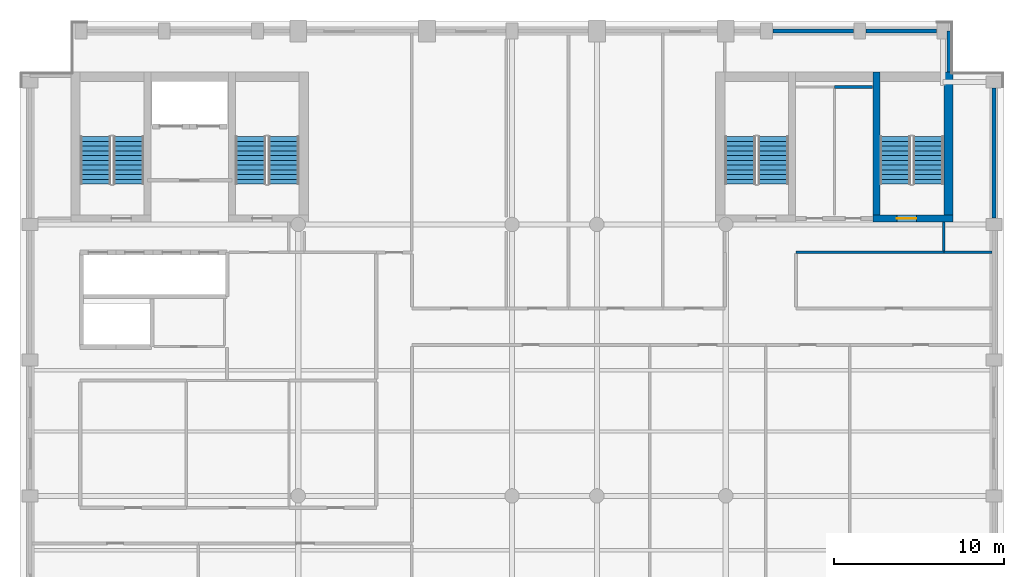
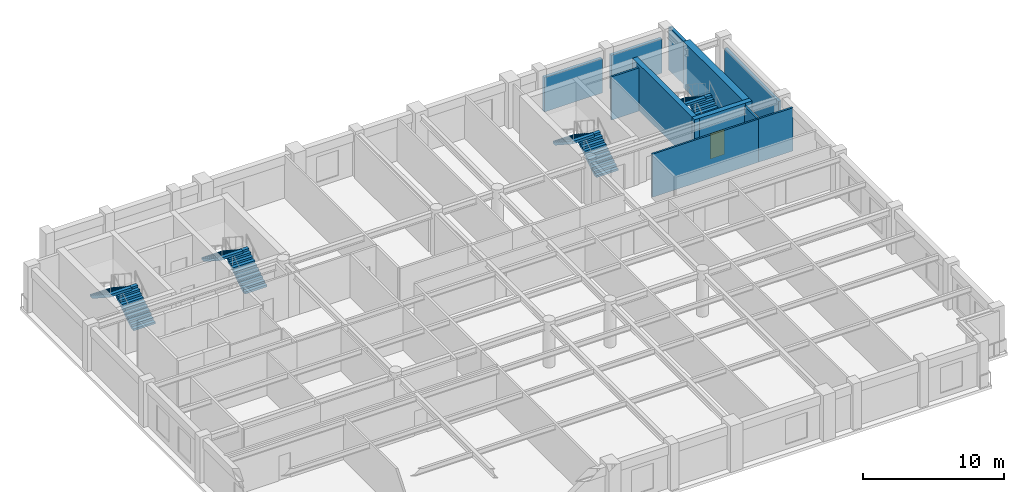
# One storey, part 6 of 9: 11 walls, 8 stair flights, 1 door, 1 opening, 4 elements without a shape of their own.
"""IFC4 building model written with IfcOpenShell, lengths in metres."""

import ifcopenshell
import ifcopenshell.guid

model = None  # the IFC model being written
_history = None  # IfcOwnerHistory: only IFC2X3 demands one
_inside = {}  # id of a spatial element -> (the spatial element, [elements in it])
_under = {}  # id of a project, library or spatial element -> (it, [spatial elements below it])
_declared = {}  # id of a project -> (the project, [libraries it declares])
_typed = {}  # id of a type object -> (the type object, [elements of that type])
_made_of = {}  # id of a material, layer set ... -> (it, [elements and type objects made of it])


def new_model(schema):
    """Start an empty IFC model of exactly this schema.

    Asked for "IFC4X3", IfcOpenShell would pick the latest addendum, in which some entities
    have other attributes; the version numbers below select the first issue.
    IFC2X3 requires an IfcOwnerHistory on every rooted entity: one is made here for all.
    """
    global model, _history
    if schema == "IFC4X3":
        model = ifcopenshell.file(schema_version=(4, 3, 0, 0))
    else:
        model = ifcopenshell.file(schema=schema)
    _inside.clear()
    _under.clear()
    _declared.clear()
    _typed.clear()
    _made_of.clear()
    _history = None
    if model.schema == "IFC2X3":
        org = make("IfcOrganization", Name="unknown")
        user = make(
            "IfcPersonAndOrganization",
            ThePerson=make("IfcPerson", FamilyName="unknown"),
            TheOrganization=org,
        )
        app = make(
            "IfcApplication",
            ApplicationDeveloper=org,
            Version="unknown",
            ApplicationFullName="unknown",
            ApplicationIdentifier="unknown",
        )
        _history = make(
            "IfcOwnerHistory",
            OwningUser=user,
            OwningApplication=app,
            ChangeAction="ADDED",
            CreationDate=0,
        )
    return model


def make(cls, **values):
    """One entity of the class cls with the attributes given. An attribute that is None is left unset."""
    return model.create_entity(
        cls, **{name: value for name, value in values.items() if value is not None}
    )


def rooted(cls, **values):
    """An entity with a GlobalId (a new one), such as an element, a storey or a relation."""
    return make(cls, GlobalId=ifcopenshell.guid.new(), OwnerHistory=_history, **values)


def si_unit(unit_type, name, prefix=None):
    """IfcSIUnit, for example si_unit("LENGTHUNIT", "METRE", prefix="MILLI")."""
    return make("IfcSIUnit", UnitType=unit_type, Prefix=prefix, Name=name)


def assignment(units):
    """IfcUnitAssignment: the units of a project."""
    return None if units is None else make("IfcUnitAssignment", Units=units)


def point(xyz):
    """IfcCartesianPoint."""
    return None if xyz is None else make("IfcCartesianPoint", Coordinates=xyz)


def direction(xyz):
    """IfcDirection."""
    return None if xyz is None else make("IfcDirection", DirectionRatios=xyz)


def frame(location, z_axis=None, x_axis=None):
    """IfcAxis2Placement3D, a coordinate frame: its origin and axes. An axis left out is left unset."""
    return make(
        "IfcAxis2Placement3D",
        Location=point(location),
        Axis=direction(z_axis),
        RefDirection=direction(x_axis),
    )


def frame_2d(location, x_axis=None):
    """IfcAxis2Placement2D, a coordinate frame in the plane: its origin and x axis."""
    return make(
        "IfcAxis2Placement2D", Location=point(location), RefDirection=direction(x_axis)
    )


def origin():
    """The frame at (0, 0, 0) with its axes left unset."""
    return frame((0.0, 0.0, 0.0))


def place(relative_to, where):
    """IfcLocalPlacement: puts the frame where relative to a parent placement (None: the world)."""
    return make(
        "IfcLocalPlacement", PlacementRelTo=relative_to, RelativePlacement=where
    )


def context(
    kind, dimensions, precision=None, world=None, true_north=None, identifier=None
):
    """IfcGeometricRepresentationContext, for example the 3D "Model" context."""
    return make(
        "IfcGeometricRepresentationContext",
        ContextIdentifier=identifier,
        ContextType=kind,
        CoordinateSpaceDimension=dimensions,
        Precision=precision,
        WorldCoordinateSystem=world,
        TrueNorth=true_north,
    )


def subcontext(parent, identifier, kind, view, scale=None):
    """IfcGeometricRepresentationSubContext, for example "Body" below "Model"."""
    return make(
        "IfcGeometricRepresentationSubContext",
        ContextIdentifier=identifier,
        ContextType=kind,
        ParentContext=parent,
        TargetScale=scale,
        TargetView=view,
    )


def project(units=None, contexts=None):
    """IfcProject with its units and contexts."""
    return rooted(
        "IfcProject",
        Name="project",
        RepresentationContexts=contexts,
        UnitsInContext=assignment(units),
    )


def spatial(cls, under=None, at=None, **own):
    """A site, building, storey or space (cls), placed at a placement, below another one or the project."""
    s = rooted(cls, ObjectPlacement=at, **own)
    if under is not None:
        _under.setdefault(under.id(), (under, []))[1].append(s)
    return s


def polyline(points):
    """IfcPolyline through the points."""
    return make("IfcPolyline", Points=[point(p) for p in points])


def profile(cls, at=None, kind="AREA", **sizes):
    """A parametric profile (cls). Its sizes go by their IFC names, for example OverallWidth=200.0."""
    return make(cls, ProfileType=kind, Position=at, **sizes)


def rectangle(**sizes):
    """IfcRectangleProfileDef."""
    return profile("IfcRectangleProfileDef", **sizes)


def outline(outer, holes=None, kind="AREA"):
    """IfcArbitraryClosedProfileDef: a profile drawn as a closed curve; with holes, ...WithVoids."""
    if holes is None:
        return make("IfcArbitraryClosedProfileDef", ProfileType=kind, OuterCurve=outer)
    return make(
        "IfcArbitraryProfileDefWithVoids",
        ProfileType=kind,
        OuterCurve=outer,
        InnerCurves=holes,
    )


def extrude(swept, where, along, depth):
    """IfcExtrudedAreaSolid: the profile swept, set in the frame where, extruded along a direction by depth."""
    return make(
        "IfcExtrudedAreaSolid",
        SweptArea=swept,
        Position=where,
        ExtrudedDirection=direction(along),
        Depth=depth,
    )


def shape(context_of_items, identifier, shape_type, items):
    """IfcShapeRepresentation: the items that make up one representation, for example the "Body"."""
    return make(
        "IfcShapeRepresentation",
        ContextOfItems=context_of_items,
        RepresentationIdentifier=identifier,
        RepresentationType=shape_type,
        Items=items,
    )


def material(Name=None, Category=None):
    """IfcMaterial."""
    return make("IfcMaterial", Name=Name, Category=Category)


def layer(
    of_material, thickness, ventilated=None, Name=None, Category=None, Priority=None
):
    """IfcMaterialLayer: one layer of a wall or slab, of a material (None: an air gap)."""
    return make(
        "IfcMaterialLayer",
        Material=of_material,
        LayerThickness=thickness,
        IsVentilated=ventilated,
        Name=Name,
        Category=Category,
        Priority=Priority,
    )


def layer_set(layers, Name=None):
    """IfcMaterialLayerSet."""
    return make("IfcMaterialLayerSet", MaterialLayers=layers, LayerSetName=Name)


def made_of(thing, what):
    """Note that an element or type object is made of a material, layer set ...; save() writes the relation."""
    if what is not None:
        _made_of.setdefault(what.id(), (what, []))[1].append(thing)
    return thing


def type_object(cls, material=None, **own):
    """A type object (cls), such as IfcWallType, which elements share."""
    return made_of(rooted(cls, **own), material)


def element(
    cls,
    number,
    at=None,
    inside=None,
    cuts=None,
    type_object=None,
    material=None,
    context=None,
    identifier="Body",
    shape_type=None,
    held_by="IfcProductDefinitionShape",
    body=None,
    shapes=None,
    **own,
):
    """One element of the class cls, such as IfcWall. Its Tag is "e" and its number.

    at: its placement. inside: the storey or other place that contains it. cuts: it is an
    opening in that element (IfcRelVoidsElement). A single representation is given by context,
    identifier, shape_type and body (its items); several are given by shapes. held_by: the class
    of the entity that holds the representations. save() writes the other relations.
    """
    e = rooted(cls, Tag="e%d" % number, ObjectPlacement=at, **own)
    if body is not None:
        shapes = [shape(context, identifier, shape_type, body)]
    if shapes is not None:
        e.Representation = make(held_by, Representations=shapes)
    if inside is not None:
        _inside.setdefault(inside.id(), (inside, []))[1].append(e)
    if cuts is not None:
        rooted(
            "IfcRelVoidsElement", RelatingBuildingElement=cuts, RelatedOpeningElement=e
        )
    if type_object is not None:
        _typed.setdefault(type_object.id(), (type_object, []))[1].append(e)
    return made_of(e, material)


def fill(opening, filler):
    """IfcRelFillsElement: the door or window that sits in an opening."""
    return rooted(
        "IfcRelFillsElement",
        RelatingOpeningElement=opening,
        RelatedBuildingElement=filler,
    )


def aggregate(whole, parts):
    """IfcRelAggregates: a whole, such as a stair, and the parts it consists of."""
    return rooted("IfcRelAggregates", RelatingObject=whole, RelatedObjects=parts)


def save(model, path):
    """Write the relations noted so far, then the file.

    IfcRelAggregates (storeys below a building ...), IfcRelContainedInSpatialStructure (elements
    in a storey), IfcRelDefinesByType, IfcRelAssociatesMaterial and IfcRelDeclares: one each for
    every whole, place, type object, material and project.
    """
    for whole, parts in _under.values():
        aggregate(whole, parts)
    for where, things in _inside.values():
        rooted(
            "IfcRelContainedInSpatialStructure",
            RelatedElements=things,
            RelatingStructure=where,
        )
    for kind, things in _typed.values():
        rooted("IfcRelDefinesByType", RelatedObjects=things, RelatingType=kind)
    for what, things in _made_of.values():
        rooted("IfcRelAssociatesMaterial", RelatedObjects=things, RelatingMaterial=what)
    for by, libraries in _declared.values():
        rooted("IfcRelDeclares", RelatingContext=by, RelatedDefinitions=libraries)
    model.write(path)


model = new_model("IFC4")

# Units and contexts
model_context = context("Model", 3, precision=1e-05, world=origin(), true_north=direction((0.0, 1.0)))
body_context = subcontext(model_context, "Body", "Model", "MODEL_VIEW")
ifc_project = project(units=[si_unit("LENGTHUNIT", "METRE"), si_unit("AREAUNIT", "SQUARE_METRE"), si_unit("VOLUMEUNIT", "CUBIC_METRE"), si_unit("PLANEANGLEUNIT", "RADIAN"), si_unit("MASSUNIT", "GRAM", prefix="KILO")], contexts=[model_context])

# Site, building, storey
site_placement = place(None, origin())
site = spatial("IfcSite", under=ifc_project, at=site_placement, CompositionType="ELEMENT")
building_placement = place(site_placement, origin())
building = spatial("IfcBuilding", under=site, at=building_placement, Name="Sulina Concourse Tower", CompositionType="ELEMENT")
storey_placement = place(building_placement, frame((0.0, 0.0, 272.60009765625)))
storey = spatial("IfcBuildingStorey", under=building, at=storey_placement, Name="L66", CompositionType="ELEMENT", Elevation=272.60009765625)

# Walls
ifc_material_1 = material(Name="Precast concrete C50/60", Category="concrete")
ifc_layer_1 = layer(ifc_material_1, 0.239990234375)
ifc_layer_set_1 = layer_set([ifc_layer_1], Name="Precast concrete C50/60")
wall_type_1 = type_object("IfcWallType", Name="Crown Precast Masonry-Frame Facade Wall 240mm", PredefinedType="SOLIDWALL", material=ifc_layer_set_1)
wall_1_placement = place(storey_placement, frame((44.3701171875, 45.39990234375, 0.0), z_axis=(0.0, 0.0, 1.0), x_axis=(1.0, 0.0, 0.0)))
element("IfcWall", 1, at=wall_1_placement, inside=storey, type_object=wall_type_1, Name="L66 exterior precast wall N9", PredefinedType="SOLIDWALL", context=body_context, shape_type="SweptSolid", body=[
    extrude(rectangle(XDim=4.759765625, YDim=0.239990234375, at=frame_2d((2.3798828125, 0.0))), origin(), (0.0, 0.0, 1.0), 3.0),
])
wall_2_placement = place(storey_placement, frame((49.8701171875, 45.39990234375, 0.0), z_axis=(0.0, 0.0, 1.0), x_axis=(1.0, 0.0, 0.0)))
element("IfcWall", 2, at=wall_2_placement, inside=storey, type_object=wall_type_1, Name="L66 exterior precast wall N10", PredefinedType="SOLIDWALL", context=body_context, shape_type="SweptSolid", body=[
    extrude(rectangle(XDim=4.159912109375, YDim=0.239990234375, at=frame_2d((2.080078125, 0.0))), origin(), (0.0, 0.0, 1.0), 3.0),
])
wall_3_placement = place(storey_placement, frame((57.39990234375, 42.030029296875, 0.0), z_axis=(0.0, 0.0, 1.0), x_axis=(0.0, -1.0, 0.0)))
element("IfcWall", 3, at=wall_3_placement, inside=storey, type_object=wall_type_1, Name="L66 exterior precast wall E5", PredefinedType="SOLIDWALL", context=body_context, shape_type="SweptSolid", body=[
    extrude(rectangle(XDim=7.659912109375, YDim=0.239990234375, at=frame_2d((3.830078125, 0.0))), origin(), (0.0, 0.0, 1.0), 3.0),
])
wall_4_placement = place(storey_placement, frame((54.77001953125, 45.39990234375, 0.0), z_axis=(0.0, 0.0, 1.0), x_axis=(0.0, -1.0, 0.0)))
element("IfcWall", 4, at=wall_4_placement, inside=storey, type_object=wall_type_1, Name="L66 exterior precast wall CNE1", PredefinedType="SOLIDWALL", context=body_context, shape_type="SweptSolid", body=[
    extrude(rectangle(XDim=2.414794921875, YDim=0.239990234375, at=frame_2d((1.20751953125, 0.0))), origin(), (0.0, 0.0, 1.0), 3.75),
])
ifc_material_2 = material(Name="Gypsum board on steel stud", Category="steel")
ifc_layer_2 = layer(ifc_material_2, 0.14990234375)
ifc_layer_set_2 = layer_set([ifc_layer_2], Name="Gypsum board on steel stud")
wall_type_2 = type_object("IfcWallType", Name="Inter-Tenancy Acoustic Partition 150mm", PredefinedType="PARTITIONING", material=ifc_layer_set_2)
wall_5_placement = place(storey_placement, frame((45.75, 32.35009765625, 0.0), z_axis=(0.0, 0.0, 1.0), x_axis=(1.0, 0.0, 0.0)))
element("IfcWall", 5, at=wall_5_placement, inside=storey, type_object=wall_type_2, Name="L66 interior partition 024", PredefinedType="PARTITIONING", context=body_context, shape_type="SweptSolid", body=[
    extrude(rectangle(XDim=8.699951171875, YDim=0.14990234375, at=frame_2d((4.35009765625, 0.0))), origin(), (0.0, 0.0, 1.0), 3.75),
])
wall_6_placement = place(storey_placement, frame((54.449951171875, 32.35009765625, 0.0), z_axis=(0.0, 0.0, 1.0), x_axis=(1.0, 0.0, 0.0)))
element("IfcWall", 6, at=wall_6_placement, inside=storey, type_object=wall_type_2, Name="L66 interior partition 025", PredefinedType="PARTITIONING", context=body_context, shape_type="SweptSolid", body=[
    extrude(rectangle(XDim=2.830078125, YDim=0.14990234375, at=frame_2d((1.4150390625, 0.0))), origin(), (0.0, 0.0, 1.0), 3.75),
])
wall_7_placement = place(storey_placement, frame((48.0, 42.10009765625, 0.0), z_axis=(0.0, 0.0, 1.0), x_axis=(1.0, 0.0, 0.0)))
element("IfcWall", 7, at=wall_7_placement, inside=storey, type_object=wall_type_2, Name="L66 interior partition 028", PredefinedType="PARTITIONING", context=body_context, shape_type="SweptSolid", body=[
    extrude(rectangle(XDim=2.25, YDim=0.14990234375, at=frame_2d((1.125, 0.0))), origin(), (0.0, 0.0, 1.0), 3.75),
])
wall_8_placement = place(storey_placement, frame((54.449951171875, 32.425048828125, 0.0), z_axis=(0.0, 0.0, 1.0), x_axis=(0.0, 1.0, 0.0)))
element("IfcWall", 8, at=wall_8_placement, inside=storey, type_object=wall_type_2, Name="L66 interior partition 056", PredefinedType="PARTITIONING", context=body_context, shape_type="SweptSolid", body=[
    extrude(rectangle(XDim=1.724853515625, YDim=0.14990234375, at=frame_2d((0.8623046875, 0.0))), origin(), (0.0, 0.0, 1.0), 3.75),
])

# Wall, opening, door
ifc_material_3 = material(Name="Concrete C60/75", Category="concrete")
ifc_layer_3 = layer(ifc_material_3, 0.39990234375)
ifc_layer_set_3 = layer_set([ifc_layer_3], Name="Concrete C60/75")
wall_type_3 = type_object("IfcWallType", Name="Protected Stair Core Shear Wall 400mm", PredefinedType="SHEAR", material=ifc_layer_set_3)
wall_9_placement = place(storey_placement, frame((50.2900390625, 34.35009765625, 0.0), z_axis=(0.0, 0.0, 1.0), x_axis=(1.0, 0.0, 0.0)))
wall_9 = element("IfcWall", 9, at=wall_9_placement, inside=storey, type_object=wall_type_3, Name="L66 east core shear wall CW-ES2", PredefinedType="SHEAR", context=body_context, shape_type="SweptSolid", body=[
    extrude(rectangle(XDim=4.7099609375, YDim=0.39990234375, at=frame_2d((2.35498046875, 0.0))), origin(), (0.0, 0.0, 1.0), 4.0),
])
opening_placement = place(wall_9_placement, frame((1.39990234375, 0.0, 0.0)))
opening = element("IfcOpeningElement", 10, at=opening_placement, cuts=wall_9, Name="Opening DR-60", PredefinedType="OPENING", context=body_context, shape_type="SweptSolid", body=[
    extrude(rectangle(XDim=1.14990234375, YDim=2.199951171875, at=frame_2d((0.574951171875, 1.10009765625))), frame((0.0, 0.2099609375, 0.0), z_axis=(0.0, -1.0, 0.0), x_axis=(1.0, 0.0, 0.0)), (0.0, 0.0, 1.0), 0.419921875),
])
ifc_material_4 = material(Name="Galvanised steel acoustic fire leaf", Category="steel")
ifc_layer_4 = layer(ifc_material_4, 0.054931640625)
ifc_layer_set_4 = layer_set([ifc_layer_4], Name="Galvanised steel acoustic fire leaf")
door_type = type_object("IfcDoorType", Name="Protected Exit Stair Fire Door 1150x2200", OperationType="NOTDEFINED", PredefinedType="DOOR", material=ifc_layer_set_4)
door_placement = place(opening_placement, origin())
door = element("IfcDoor", 11, at=door_placement, inside=storey, type_object=door_type, Name="L66 stair ST-4 south lobby fire door", OperationType="SINGLE_SWING_LEFT", OverallHeight=2.199951171875, OverallWidth=1.14990234375, PredefinedType="DOOR", context=body_context, shape_type="SweptSolid", body=[
    extrude(rectangle(XDim=1.14990234375, YDim=2.199951171875, at=frame_2d((0.574951171875, 1.10009765625))), frame((0.0, 0.02490234375, 0.0), z_axis=(0.0, -1.0, 0.0), x_axis=(1.0, 0.0, 0.0)), (0.0, 0.0, 1.0), 0.050048828125),
])
fill(opening, door)

# Walls
wall_10_placement = place(storey_placement, frame((50.489990234375, 34.14990234375, 0.0), z_axis=(0.0, 0.0, 1.0), x_axis=(0.0, 1.0, 0.0)))
element("IfcWall", 12, at=wall_10_placement, inside=storey, type_object=wall_type_3, Name="L66 east core shear wall SW-ST4", PredefinedType="SHEAR", context=body_context, shape_type="SweptSolid", body=[
    extrude(rectangle(XDim=8.830078125, YDim=0.39990234375, at=frame_2d((4.4150390625, 0.0))), origin(), (0.0, 0.0, 1.0), 4.0),
])
ifc_material_5 = material(Name="Concrete C50/60", Category="concrete")
ifc_layer_5 = layer(ifc_material_5, 0.550048828125)
ifc_layer_set_5 = layer_set([ifc_layer_5], Name="Concrete C50/60")
wall_type_4 = type_object("IfcWallType", Name="Upper Core Shear Wall 550mm", PredefinedType="SHEAR", material=ifc_layer_set_5)
wall_11_placement = place(storey_placement, frame((54.72509765625, 34.14990234375, 0.0), z_axis=(0.0, 0.0, 1.0), x_axis=(0.0, 1.0, 0.0)))
element("IfcWall", 13, at=wall_11_placement, inside=storey, type_object=wall_type_4, Name="L66 east core shear wall CW-EE", PredefinedType="SHEAR", context=body_context, shape_type="SweptSolid", body=[
    extrude(rectangle(XDim=8.830078125, YDim=0.550048828125, at=frame_2d((4.4150390625, 0.0))), origin(), (0.0, 0.0, 1.0), 4.0),
])

# Stair, stair flights
ifc_material_6 = material(Name="Concrete C50/60", Category="concrete")
stair_type_1 = type_object("IfcStairType", Name="Portal & Podium Core Exit Stair 1820mm", PredefinedType="HALF_TURN_STAIR", material=ifc_material_6)
stair_1_placement = place(storey_placement, origin())
stair_1 = element("IfcStair", 14, at=stair_1_placement, inside=storey, type_object=stair_type_1, Name="L66 ST-3", PredefinedType="HALF_TURN_STAIR")
ifc_material_7 = material(Name="Concrete C50/60", Category="concrete")
stair_flight_type_1 = type_object("IfcStairFlightType", Name="Portal & Podium Core Exit Stair 1820mm Flight", PredefinedType="STRAIGHT", material=ifc_material_7)
stair_flight_1_placement = place(storey_placement, frame((44.405029296875, 36.375, 0.0), z_axis=(0.0, 0.0, 1.0), x_axis=(0.0, 1.0, 0.0)))
stair_flight_1 = element("IfcStairFlight", 15, at=stair_flight_1_placement, type_object=stair_flight_type_1, Name="ST-3 flight 1", NumberOfRisers=11, NumberOfTreads=10, PredefinedType="STRAIGHT", RiserHeight=0.181818182, TreadLength=0.28, context=body_context, shape_type="SweptSolid", body=[
    extrude(outline(polyline([(0.0, 0.0), (0.0, 0.181884765625), (0.280029296875, 0.181884765625), (0.280029296875, 0.363525390625), (0.56005859375, 0.363525390625), (0.56005859375, 0.54541015625), (0.840087890625, 0.54541015625), (0.840087890625, 0.727294921875), (1.1201171875, 0.727294921875), (1.1201171875, 0.9091796875), (1.39990234375, 0.9091796875), (1.39990234375, 1.0908203125), (1.679931640625, 1.0908203125), (1.679931640625, 1.272705078125), (1.9599609375, 1.272705078125), (1.9599609375, 1.45458984375), (2.239990234375, 1.45458984375), (2.239990234375, 1.636474609375), (2.52001953125, 1.636474609375), (2.52001953125, 1.818115234375), (2.800048828125, 1.818115234375), (2.800048828125, 2.0), (2.800048828125, 1.603759765625), (0.330322265625, 0.0), (0.0, 0.0)])), frame((0.0, 0.89990234375, 0.0), z_axis=(0.0, -1.0, 0.0), x_axis=(1.0, 0.0, 0.0)), (0.0, 0.0, 1.0), 1.800048828125),
])
stair_flight_2_placement = place(storey_placement, frame((42.455078125, 39.175048828125, 2.0), z_axis=(0.0, 0.0, 1.0), x_axis=(0.0, -1.0, 0.0)))
stair_flight_2 = element("IfcStairFlight", 16, at=stair_flight_2_placement, type_object=stair_flight_type_1, Name="ST-3 flight 2", NumberOfRisers=11, NumberOfTreads=10, PredefinedType="STRAIGHT", RiserHeight=0.181818182, TreadLength=0.28, context=body_context, shape_type="SweptSolid", body=[
    extrude(outline(polyline([(0.0, 0.0), (0.0, 0.181884765625), (0.280029296875, 0.181884765625), (0.280029296875, 0.363525390625), (0.56005859375, 0.363525390625), (0.56005859375, 0.54541015625), (0.840087890625, 0.54541015625), (0.840087890625, 0.727294921875), (1.1201171875, 0.727294921875), (1.1201171875, 0.9091796875), (1.39990234375, 0.9091796875), (1.39990234375, 1.0908203125), (1.679931640625, 1.0908203125), (1.679931640625, 1.272705078125), (1.9599609375, 1.272705078125), (1.9599609375, 1.45458984375), (2.239990234375, 1.45458984375), (2.239990234375, 1.636474609375), (2.52001953125, 1.636474609375), (2.52001953125, 1.818115234375), (2.800048828125, 1.818115234375), (2.800048828125, 2.0), (2.800048828125, 1.603759765625), (0.330322265625, 0.0), (0.0, 0.0)])), frame((0.0, 0.89990234375, 0.0), z_axis=(0.0, -1.0, 0.0), x_axis=(1.0, 0.0, 0.0)), (0.0, 0.0, 1.0), 1.800048828125),
])
aggregate(stair_1, [stair_flight_1, stair_flight_2])

stair_2_placement = place(storey_placement, origin())
stair_2 = element("IfcStair", 17, at=stair_2_placement, inside=storey, type_object=stair_type_1, Name="L66 ST-4", PredefinedType="HALF_TURN_STAIR")
stair_flight_3_placement = place(storey_placement, frame((53.544921875, 36.375, 0.0), z_axis=(0.0, 0.0, 1.0), x_axis=(0.0, 1.0, 0.0)))
stair_flight_3 = element("IfcStairFlight", 18, at=stair_flight_3_placement, type_object=stair_flight_type_1, Name="ST-4 flight 1", NumberOfRisers=11, NumberOfTreads=10, PredefinedType="STRAIGHT", RiserHeight=0.181818182, TreadLength=0.28, context=body_context, shape_type="SweptSolid", body=[
    extrude(outline(polyline([(0.0, 0.0), (0.0, 0.181884765625), (0.280029296875, 0.181884765625), (0.280029296875, 0.363525390625), (0.56005859375, 0.363525390625), (0.56005859375, 0.54541015625), (0.840087890625, 0.54541015625), (0.840087890625, 0.727294921875), (1.1201171875, 0.727294921875), (1.1201171875, 0.9091796875), (1.39990234375, 0.9091796875), (1.39990234375, 1.0908203125), (1.679931640625, 1.0908203125), (1.679931640625, 1.272705078125), (1.9599609375, 1.272705078125), (1.9599609375, 1.45458984375), (2.239990234375, 1.45458984375), (2.239990234375, 1.636474609375), (2.52001953125, 1.636474609375), (2.52001953125, 1.818115234375), (2.800048828125, 1.818115234375), (2.800048828125, 2.0), (2.800048828125, 1.603759765625), (0.330322265625, 0.0), (0.0, 0.0)])), frame((0.0, 0.89990234375, 0.0), z_axis=(0.0, -1.0, 0.0), x_axis=(1.0, 0.0, 0.0)), (0.0, 0.0, 1.0), 1.800048828125),
])
stair_flight_4_placement = place(storey_placement, frame((51.594970703125, 39.175048828125, 2.0), z_axis=(0.0, 0.0, 1.0), x_axis=(0.0, -1.0, 0.0)))
stair_flight_4 = element("IfcStairFlight", 19, at=stair_flight_4_placement, type_object=stair_flight_type_1, Name="ST-4 flight 2", NumberOfRisers=11, NumberOfTreads=10, PredefinedType="STRAIGHT", RiserHeight=0.181818182, TreadLength=0.28, context=body_context, shape_type="SweptSolid", body=[
    extrude(outline(polyline([(0.0, 0.0), (0.0, 0.181884765625), (0.280029296875, 0.181884765625), (0.280029296875, 0.363525390625), (0.56005859375, 0.363525390625), (0.56005859375, 0.54541015625), (0.840087890625, 0.54541015625), (0.840087890625, 0.727294921875), (1.1201171875, 0.727294921875), (1.1201171875, 0.9091796875), (1.39990234375, 0.9091796875), (1.39990234375, 1.0908203125), (1.679931640625, 1.0908203125), (1.679931640625, 1.272705078125), (1.9599609375, 1.272705078125), (1.9599609375, 1.45458984375), (2.239990234375, 1.45458984375), (2.239990234375, 1.636474609375), (2.52001953125, 1.636474609375), (2.52001953125, 1.818115234375), (2.800048828125, 1.818115234375), (2.800048828125, 2.0), (2.800048828125, 1.603759765625), (0.330322265625, 0.0), (0.0, 0.0)])), frame((0.0, 0.89990234375, 0.0), z_axis=(0.0, -1.0, 0.0), x_axis=(1.0, 0.0, 0.0)), (0.0, 0.0, 1.0), 1.800048828125),
])
aggregate(stair_2, [stair_flight_3, stair_flight_4])

ifc_material_8 = material(Name="Concrete C50/60", Category="concrete")
stair_type_2 = type_object("IfcStairType", Name="Primary Core Dog-Leg Exit Stair 1800mm", PredefinedType="HALF_TURN_STAIR", material=ifc_material_8)
stair_3_placement = place(storey_placement, origin())
stair_3 = element("IfcStair", 20, at=stair_3_placement, inside=storey, type_object=stair_type_2, Name="L66 ST-1", PredefinedType="HALF_TURN_STAIR")
ifc_material_9 = material(Name="Concrete C50/60", Category="concrete")
stair_flight_type_2 = type_object("IfcStairFlightType", Name="Primary Core Dog-Leg Exit Stair 1800mm Flight", PredefinedType="STRAIGHT", material=ifc_material_9)
stair_flight_5_placement = place(storey_placement, frame((6.405029296875, 36.375, 0.0), z_axis=(0.0, 0.0, 1.0), x_axis=(0.0, 1.0, 0.0)))
stair_flight_5 = element("IfcStairFlight", 21, at=stair_flight_5_placement, type_object=stair_flight_type_2, Name="ST-1 flight 1", NumberOfRisers=11, NumberOfTreads=10, PredefinedType="STRAIGHT", RiserHeight=0.181818182, TreadLength=0.28, context=body_context, shape_type="SweptSolid", body=[
    extrude(outline(polyline([(0.0, 0.0), (0.0, 0.181884765625), (0.280029296875, 0.181884765625), (0.280029296875, 0.363525390625), (0.56005859375, 0.363525390625), (0.56005859375, 0.54541015625), (0.840087890625, 0.54541015625), (0.840087890625, 0.727294921875), (1.1201171875, 0.727294921875), (1.1201171875, 0.9091796875), (1.39990234375, 0.9091796875), (1.39990234375, 1.0908203125), (1.679931640625, 1.0908203125), (1.679931640625, 1.272705078125), (1.9599609375, 1.272705078125), (1.9599609375, 1.45458984375), (2.239990234375, 1.45458984375), (2.239990234375, 1.636474609375), (2.52001953125, 1.636474609375), (2.52001953125, 1.818115234375), (2.800048828125, 1.818115234375), (2.800048828125, 2.0), (2.800048828125, 1.603759765625), (0.330322265625, 0.0), (0.0, 0.0)])), frame((0.0, 0.89990234375, 0.0), z_axis=(0.0, -1.0, 0.0), x_axis=(1.0, 0.0, 0.0)), (0.0, 0.0, 1.0), 1.800048828125),
])
stair_flight_6_placement = place(storey_placement, frame((4.455078125, 39.175048828125, 2.0), z_axis=(0.0, 0.0, 1.0), x_axis=(0.0, -1.0, 0.0)))
stair_flight_6 = element("IfcStairFlight", 22, at=stair_flight_6_placement, type_object=stair_flight_type_2, Name="ST-1 flight 2", NumberOfRisers=11, NumberOfTreads=10, PredefinedType="STRAIGHT", RiserHeight=0.181818182, TreadLength=0.28, context=body_context, shape_type="SweptSolid", body=[
    extrude(outline(polyline([(0.0, 0.0), (0.0, 0.181884765625), (0.280029296875, 0.181884765625), (0.280029296875, 0.363525390625), (0.56005859375, 0.363525390625), (0.56005859375, 0.54541015625), (0.840087890625, 0.54541015625), (0.840087890625, 0.727294921875), (1.1201171875, 0.727294921875), (1.1201171875, 0.9091796875), (1.39990234375, 0.9091796875), (1.39990234375, 1.0908203125), (1.679931640625, 1.0908203125), (1.679931640625, 1.272705078125), (1.9599609375, 1.272705078125), (1.9599609375, 1.45458984375), (2.239990234375, 1.45458984375), (2.239990234375, 1.636474609375), (2.52001953125, 1.636474609375), (2.52001953125, 1.818115234375), (2.800048828125, 1.818115234375), (2.800048828125, 2.0), (2.800048828125, 1.603759765625), (0.330322265625, 0.0), (0.0, 0.0)])), frame((0.0, 0.89990234375, 0.0), z_axis=(0.0, -1.0, 0.0), x_axis=(1.0, 0.0, 0.0)), (0.0, 0.0, 1.0), 1.800048828125),
])
aggregate(stair_3, [stair_flight_5, stair_flight_6])

stair_4_placement = place(storey_placement, origin())
stair_4 = element("IfcStair", 23, at=stair_4_placement, inside=storey, type_object=stair_type_2, Name="L66 ST-2", PredefinedType="HALF_TURN_STAIR")
stair_flight_7_placement = place(storey_placement, frame((15.544921875, 36.375, 0.0), z_axis=(0.0, 0.0, 1.0), x_axis=(0.0, 1.0, 0.0)))
stair_flight_7 = element("IfcStairFlight", 24, at=stair_flight_7_placement, type_object=stair_flight_type_2, Name="ST-2 flight 1", NumberOfRisers=11, NumberOfTreads=10, PredefinedType="STRAIGHT", RiserHeight=0.181818182, TreadLength=0.28, context=body_context, shape_type="SweptSolid", body=[
    extrude(outline(polyline([(0.0, 0.0), (0.0, 0.181884765625), (0.280029296875, 0.181884765625), (0.280029296875, 0.363525390625), (0.56005859375, 0.363525390625), (0.56005859375, 0.54541015625), (0.840087890625, 0.54541015625), (0.840087890625, 0.727294921875), (1.1201171875, 0.727294921875), (1.1201171875, 0.9091796875), (1.39990234375, 0.9091796875), (1.39990234375, 1.0908203125), (1.679931640625, 1.0908203125), (1.679931640625, 1.272705078125), (1.9599609375, 1.272705078125), (1.9599609375, 1.45458984375), (2.239990234375, 1.45458984375), (2.239990234375, 1.636474609375), (2.52001953125, 1.636474609375), (2.52001953125, 1.818115234375), (2.800048828125, 1.818115234375), (2.800048828125, 2.0), (2.800048828125, 1.603759765625), (0.330322265625, 0.0), (0.0, 0.0)])), frame((0.0, 0.89990234375, 0.0), z_axis=(0.0, -1.0, 0.0), x_axis=(1.0, 0.0, 0.0)), (0.0, 0.0, 1.0), 1.800048828125),
])
stair_flight_8_placement = place(storey_placement, frame((13.594970703125, 39.175048828125, 2.0), z_axis=(0.0, 0.0, 1.0), x_axis=(0.0, -1.0, 0.0)))
stair_flight_8 = element("IfcStairFlight", 25, at=stair_flight_8_placement, type_object=stair_flight_type_2, Name="ST-2 flight 2", NumberOfRisers=11, NumberOfTreads=10, PredefinedType="STRAIGHT", RiserHeight=0.181818182, TreadLength=0.28, context=body_context, shape_type="SweptSolid", body=[
    extrude(outline(polyline([(0.0, 0.0), (0.0, 0.181884765625), (0.280029296875, 0.181884765625), (0.280029296875, 0.363525390625), (0.56005859375, 0.363525390625), (0.56005859375, 0.54541015625), (0.840087890625, 0.54541015625), (0.840087890625, 0.727294921875), (1.1201171875, 0.727294921875), (1.1201171875, 0.9091796875), (1.39990234375, 0.9091796875), (1.39990234375, 1.0908203125), (1.679931640625, 1.0908203125), (1.679931640625, 1.272705078125), (1.9599609375, 1.272705078125), (1.9599609375, 1.45458984375), (2.239990234375, 1.45458984375), (2.239990234375, 1.636474609375), (2.52001953125, 1.636474609375), (2.52001953125, 1.818115234375), (2.800048828125, 1.818115234375), (2.800048828125, 2.0), (2.800048828125, 1.603759765625), (0.330322265625, 0.0), (0.0, 0.0)])), frame((0.0, 0.89990234375, 0.0), z_axis=(0.0, -1.0, 0.0), x_axis=(1.0, 0.0, 0.0)), (0.0, 0.0, 1.0), 1.800048828125),
])
aggregate(stair_4, [stair_flight_7, stair_flight_8])

save(model, "model.ifc")
